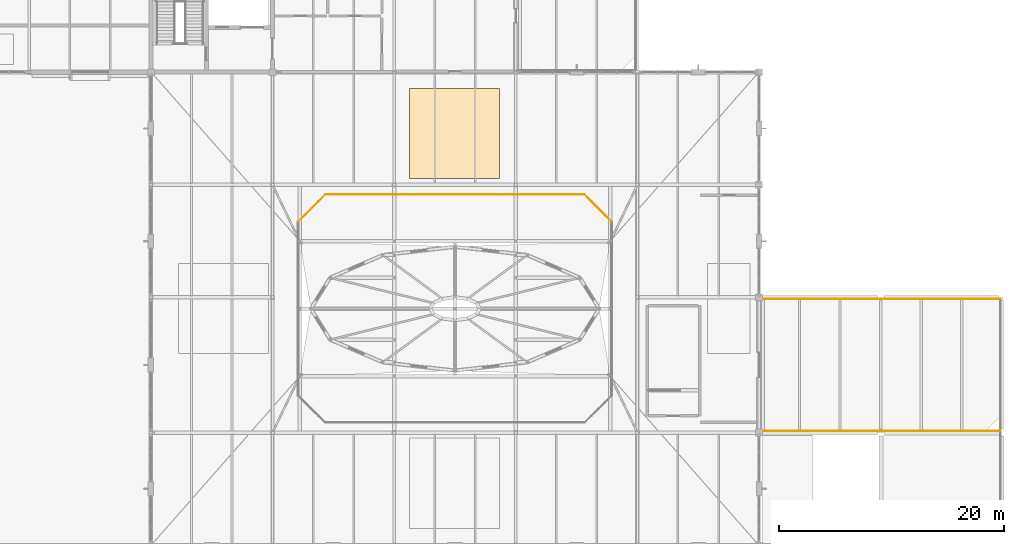
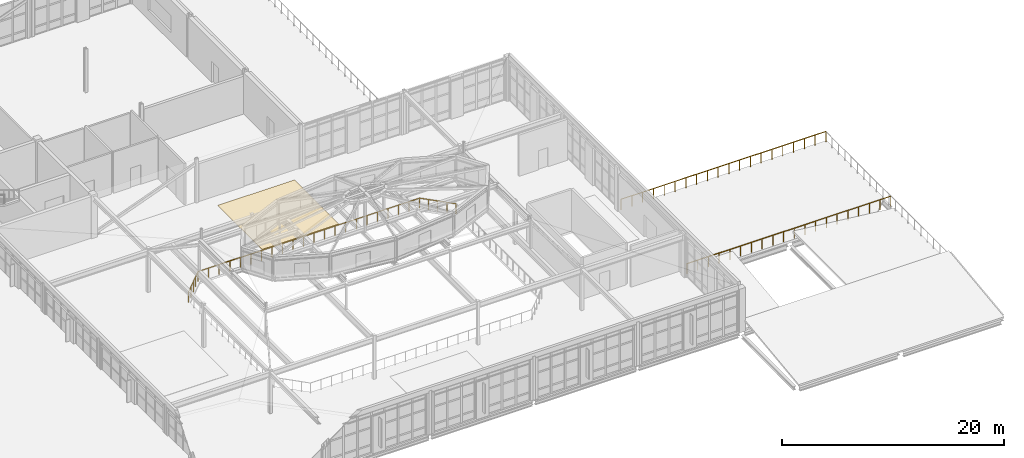
# One storey, part 82 of 86: 5 railings, 1 covering.
"""IFC4 building model written with IfcOpenShell, lengths in metres."""

from ifc_helpers import new_model, si_unit, direction, frame, origin, origin_2d, place, context, subcontext, project, spatial, rectangle, circle, extrude, material, layer, layer_set, type_object, element, save


model = new_model("IFC4")

# Units and contexts
model_context = context("Model", 3, precision=1e-05, world=origin(), true_north=direction((0.0, 1.0)))
body_context = subcontext(model_context, "Body", "Model", "MODEL_VIEW")
ifc_project = project(units=[si_unit("LENGTHUNIT", "METRE"), si_unit("AREAUNIT", "SQUARE_METRE"), si_unit("VOLUMEUNIT", "CUBIC_METRE"), si_unit("PLANEANGLEUNIT", "RADIAN"), si_unit("MASSUNIT", "GRAM", prefix="KILO")], contexts=[model_context])

# Site, building, storey
site_placement = place(None, origin())
site = spatial("IfcSite", under=ifc_project, at=site_placement, CompositionType="ELEMENT")
building_placement = place(site_placement, origin())
building = spatial("IfcBuilding", under=site, at=building_placement, Name="Tasgan Crest Museum", CompositionType="ELEMENT")
storey_placement = place(building_placement, frame((0.0, 0.0, 24.0)))
storey = spatial("IfcBuildingStorey", under=building, at=storey_placement, Name="L04", CompositionType="ELEMENT", Elevation=24.0)

# Covering
ifc_material_1 = material(Name="Polished Granite Terrazzo", Category="masonry")
ifc_layer = layer(ifc_material_1, 0.030029296875, Name="COV-FLOOR-TERRAZZO")
ifc_layer_set = layer_set([ifc_layer], Name="Polished Granite Terrazzo")
covering_type = type_object("IfcCoveringType", Name="COV-FLOOR-TERRAZZO", PredefinedType="FLOORING", material=ifc_layer_set)
covering_placement = place(storey_placement, frame((80.9599609375, 76.550048828125, 0.0), z_axis=(0.0, 0.0, 1.0), x_axis=(1.0, 0.0, 0.0)))
element("IfcCovering", 1, at=covering_placement, inside=storey, type_object=covering_type, Name="Lantern North Concourse floor finish", PredefinedType="FLOORING", context=body_context, shape_type="SweptSolid", body=[
    extrude(rectangle(XDim=8.0, YDim=8.0, at=origin_2d()), origin(), (0.0, 0.0, 1.0), 0.030029296875),
])

# Railings
ifc_material_2 = material(Name="Bronze and Honed Granite Balustrade", Category="masonry")
railing_type_1 = type_object("IfcRailingType", Name="RL-BALUSTRADE-1150", PredefinedType="BALUSTRADE", material=ifc_material_2)
railing_1_placement = place(storey_placement, frame((129.449951171875, 61.85009765625, 0.0)))
element("IfcRailing", 2, at=railing_1_placement, inside=storey, type_object=railing_type_1, Name="Terrace guardrail L04 TR-EAST-N", PredefinedType="BALUSTRADE", context=body_context, shape_type="SweptSolid", body=[
    extrude(circle(Radius=0.02392578125, at=origin_2d()), frame((0.0, 0.0, 1.1259765625), z_axis=(-1.0, 0.0, 0.0), x_axis=(0.0, -1.0, 0.0)), (0.0, 0.0, 1.0), 21.300048828125),
    extrude(circle(Radius=0.02099609375, at=origin_2d()), origin(), (0.0, 0.0, 1.0), 1.101806640625),
    extrude(circle(Radius=0.02099609375, at=origin_2d()), frame((-1.12109375, 0.0, 0.0)), (0.0, 0.0, 1.0), 1.101806640625),
    extrude(circle(Radius=0.02099609375, at=origin_2d()), frame((-2.2421875, 0.0, 0.0)), (0.0, 0.0, 1.0), 1.101806640625),
    extrude(circle(Radius=0.02099609375, at=origin_2d()), frame((-3.36328125, 0.0, 0.0)), (0.0, 0.0, 1.0), 1.101806640625),
    extrude(circle(Radius=0.02099609375, at=origin_2d()), frame((-4.484130859375, 0.0, 0.0)), (0.0, 0.0, 1.0), 1.101806640625),
    extrude(circle(Radius=0.02099609375, at=origin_2d()), frame((-5.605224609375, 0.0, 0.0)), (0.0, 0.0, 1.0), 1.101806640625),
    extrude(circle(Radius=0.02099609375, at=origin_2d()), frame((-6.726318359375, 0.0, 0.0)), (0.0, 0.0, 1.0), 1.101806640625),
    extrude(circle(Radius=0.02099609375, at=origin_2d()), frame((-7.847412109375, 0.0, 0.0)), (0.0, 0.0, 1.0), 1.101806640625),
    extrude(circle(Radius=0.02099609375, at=origin_2d()), frame((-8.968505859375, 0.0, 0.0)), (0.0, 0.0, 1.0), 1.101806640625),
    extrude(circle(Radius=0.02099609375, at=origin_2d()), frame((-10.089599609375, 0.0, 0.0)), (0.0, 0.0, 1.0), 1.101806640625),
    extrude(circle(Radius=0.02099609375, at=origin_2d()), frame((-11.21044921875, 0.0, 0.0)), (0.0, 0.0, 1.0), 1.101806640625),
    extrude(circle(Radius=0.02099609375, at=origin_2d()), frame((-12.33154296875, 0.0, 0.0)), (0.0, 0.0, 1.0), 1.101806640625),
    extrude(circle(Radius=0.02099609375, at=origin_2d()), frame((-13.45263671875, 0.0, 0.0)), (0.0, 0.0, 1.0), 1.101806640625),
    extrude(circle(Radius=0.02099609375, at=origin_2d()), frame((-14.57373046875, 0.0, 0.0)), (0.0, 0.0, 1.0), 1.101806640625),
    extrude(circle(Radius=0.02099609375, at=origin_2d()), frame((-15.69482421875, 0.0, 0.0)), (0.0, 0.0, 1.0), 1.101806640625),
    extrude(circle(Radius=0.02099609375, at=origin_2d()), frame((-16.81591796875, 0.0, 0.0)), (0.0, 0.0, 1.0), 1.101806640625),
    extrude(circle(Radius=0.02099609375, at=origin_2d()), frame((-17.936767578125, 0.0, 0.0)), (0.0, 0.0, 1.0), 1.101806640625),
    extrude(circle(Radius=0.02099609375, at=origin_2d()), frame((-19.057861328125, 0.0, 0.0)), (0.0, 0.0, 1.0), 1.101806640625),
    extrude(circle(Radius=0.02099609375, at=origin_2d()), frame((-20.178955078125, 0.0, 0.0)), (0.0, 0.0, 1.0), 1.101806640625),
    extrude(circle(Radius=0.02099609375, at=origin_2d()), frame((-21.300048828125, 0.0, 0.0)), (0.0, 0.0, 1.0), 1.101806640625),
])
ifc_material_3 = material(Name="Brushed Bronze and Toughened Glass", Category="glass")
railing_type_2 = type_object("IfcRailingType", Name="RL-INT-GUARD-1120", PredefinedType="GUARDRAIL", material=ifc_material_3)
railing_2_placement = place(storey_placement, frame((94.919921875, 68.719970703125, 0.0)))
element("IfcRailing", 3, at=railing_2_placement, inside=storey, type_object=railing_type_2, Name="Atrium void guard L04 3", PredefinedType="GUARDRAIL", context=body_context, shape_type="SweptSolid", body=[
    extrude(circle(Radius=0.02392578125, at=origin_2d()), frame((0.0, 0.0, 1.09619140625), z_axis=(-0.707070815327, 0.707142745217, 0.0), x_axis=(-0.707142745217, -0.707070815327, 0.0)), (0.0, 0.0, 1.0), 3.39404296875),
    extrude(circle(Radius=0.02099609375, at=origin_2d()), origin(), (0.0, 0.0, 1.0), 1.072021484375),
    extrude(circle(Radius=0.02099609375, at=origin_2d()), frame((-0.60009765625, 0.60009765625, 0.0)), (0.0, 0.0, 1.0), 1.072021484375),
    extrude(circle(Radius=0.02099609375, at=origin_2d()), frame((-1.199951171875, 1.2001953125, 0.0)), (0.0, 0.0, 1.0), 1.072021484375),
    extrude(circle(Radius=0.02099609375, at=origin_2d()), frame((-1.7998046875, 1.800048828125, 0.0)), (0.0, 0.0, 1.0), 1.072021484375),
    extrude(circle(Radius=0.02099609375, at=origin_2d()), frame((-2.39990234375, 2.400146484375, 0.0)), (0.0, 0.0, 1.0), 1.072021484375),
])
railing_3_placement = place(storey_placement, frame((92.52001953125, 71.1201171875, 0.0)))
element("IfcRailing", 4, at=railing_3_placement, inside=storey, type_object=railing_type_2, Name="Atrium void guard L04 4", PredefinedType="GUARDRAIL", context=body_context, shape_type="SweptSolid", body=[
    extrude(circle(Radius=0.02392578125, at=origin_2d()), frame((0.0, 0.0, 1.09619140625), z_axis=(-1.0, 0.0, 0.0), x_axis=(0.0, -1.0, 0.0)), (0.0, 0.0, 1.0), 23.0400390625),
    extrude(circle(Radius=0.02099609375, at=origin_2d()), origin(), (0.0, 0.0, 1.0), 1.072021484375),
    extrude(circle(Radius=0.02099609375, at=origin_2d()), frame((-1.09716796875, 0.0, 0.0)), (0.0, 0.0, 1.0), 1.072021484375),
    extrude(circle(Radius=0.02099609375, at=origin_2d()), frame((-2.1943359375, 0.0, 0.0)), (0.0, 0.0, 1.0), 1.072021484375),
    extrude(circle(Radius=0.02099609375, at=origin_2d()), frame((-3.29150390625, 0.0, 0.0)), (0.0, 0.0, 1.0), 1.072021484375),
    extrude(circle(Radius=0.02099609375, at=origin_2d()), frame((-4.388671875, 0.0, 0.0)), (0.0, 0.0, 1.0), 1.072021484375),
    extrude(circle(Radius=0.02099609375, at=origin_2d()), frame((-5.48583984375, 0.0, 0.0)), (0.0, 0.0, 1.0), 1.072021484375),
    extrude(circle(Radius=0.02099609375, at=origin_2d()), frame((-6.582763671875, 0.0, 0.0)), (0.0, 0.0, 1.0), 1.072021484375),
    extrude(circle(Radius=0.02099609375, at=origin_2d()), frame((-7.679931640625, 0.0, 0.0)), (0.0, 0.0, 1.0), 1.072021484375),
    extrude(circle(Radius=0.02099609375, at=origin_2d()), frame((-8.777099609375, 0.0, 0.0)), (0.0, 0.0, 1.0), 1.072021484375),
    extrude(circle(Radius=0.02099609375, at=origin_2d()), frame((-9.874267578125, 0.0, 0.0)), (0.0, 0.0, 1.0), 1.072021484375),
    extrude(circle(Radius=0.02099609375, at=origin_2d()), frame((-10.971435546875, 0.0, 0.0)), (0.0, 0.0, 1.0), 1.072021484375),
    extrude(circle(Radius=0.02099609375, at=origin_2d()), frame((-12.068603515625, 0.0, 0.0)), (0.0, 0.0, 1.0), 1.072021484375),
    extrude(circle(Radius=0.02099609375, at=origin_2d()), frame((-13.165771484375, 0.0, 0.0)), (0.0, 0.0, 1.0), 1.072021484375),
    extrude(circle(Radius=0.02099609375, at=origin_2d()), frame((-14.262939453125, 0.0, 0.0)), (0.0, 0.0, 1.0), 1.072021484375),
    extrude(circle(Radius=0.02099609375, at=origin_2d()), frame((-15.360107421875, 0.0, 0.0)), (0.0, 0.0, 1.0), 1.072021484375),
    extrude(circle(Radius=0.02099609375, at=origin_2d()), frame((-16.457275390625, 0.0, 0.0)), (0.0, 0.0, 1.0), 1.072021484375),
    extrude(circle(Radius=0.02099609375, at=origin_2d()), frame((-17.55419921875, 0.0, 0.0)), (0.0, 0.0, 1.0), 1.072021484375),
    extrude(circle(Radius=0.02099609375, at=origin_2d()), frame((-18.6513671875, 0.0, 0.0)), (0.0, 0.0, 1.0), 1.072021484375),
    extrude(circle(Radius=0.02099609375, at=origin_2d()), frame((-19.74853515625, 0.0, 0.0)), (0.0, 0.0, 1.0), 1.072021484375),
    extrude(circle(Radius=0.02099609375, at=origin_2d()), frame((-20.845703125, 0.0, 0.0)), (0.0, 0.0, 1.0), 1.072021484375),
    extrude(circle(Radius=0.02099609375, at=origin_2d()), frame((-21.94287109375, 0.0, 0.0)), (0.0, 0.0, 1.0), 1.072021484375),
    extrude(circle(Radius=0.02099609375, at=origin_2d()), frame((-23.0400390625, 0.0, 0.0)), (0.0, 0.0, 1.0), 1.072021484375),
])
railing_4_placement = place(storey_placement, frame((69.47998046875, 71.1201171875, 0.0)))
element("IfcRailing", 5, at=railing_4_placement, inside=storey, type_object=railing_type_2, Name="Atrium void guard L04 5", PredefinedType="GUARDRAIL", context=body_context, shape_type="SweptSolid", body=[
    extrude(circle(Radius=0.02392578125, at=origin_2d()), frame((0.0, 0.0, 1.09619140625), z_axis=(-0.707070815327, -0.707142745217, 0.0), x_axis=(0.707142745217, -0.707070815327, 0.0)), (0.0, 0.0, 1.0), 3.39404296875),
    extrude(circle(Radius=0.02099609375, at=origin_2d()), origin(), (0.0, 0.0, 1.0), 1.072021484375),
    extrude(circle(Radius=0.02099609375, at=origin_2d()), frame((-0.60009765625, -0.60009765625, 0.0)), (0.0, 0.0, 1.0), 1.072021484375),
    extrude(circle(Radius=0.02099609375, at=origin_2d()), frame((-1.199951171875, -1.2001953125, 0.0)), (0.0, 0.0, 1.0), 1.072021484375),
    extrude(circle(Radius=0.02099609375, at=origin_2d()), frame((-1.7998046875, -1.800048828125, 0.0)), (0.0, 0.0, 1.0), 1.072021484375),
    extrude(circle(Radius=0.02099609375, at=origin_2d()), frame((-2.39990234375, -2.400146484375, 0.0)), (0.0, 0.0, 1.0), 1.072021484375),
])
ifc_material_4 = material(Name="Painted Galvanised Steel", Category="steel")
railing_type_3 = type_object("IfcRailingType", Name="RL-TERR-GUARD-1120", PredefinedType="GUARDRAIL", material=ifc_material_4)
railing_5_placement = place(storey_placement, frame((108.25, 50.14990234375, 0.0)))
element("IfcRailing", 6, at=railing_5_placement, inside=storey, type_object=railing_type_3, Name="Terrace guardrail L04 TR-EAST-S", PredefinedType="GUARDRAIL", context=body_context, shape_type="SweptSolid", body=[
    extrude(circle(Radius=0.02392578125, at=origin_2d()), frame((0.0, 0.0, 1.09619140625), z_axis=(1.0, 0.0, 0.0), x_axis=(0.0, 1.0, 0.0)), (0.0, 0.0, 1.0), 21.199951171875),
    extrude(circle(Radius=0.02099609375, at=origin_2d()), origin(), (0.0, 0.0, 1.0), 1.072021484375),
    extrude(circle(Radius=0.02099609375, at=origin_2d()), frame((1.11572265625, 0.0, 0.0)), (0.0, 0.0, 1.0), 1.072021484375),
    extrude(circle(Radius=0.02099609375, at=origin_2d()), frame((2.231689453125, 0.0, 0.0)), (0.0, 0.0, 1.0), 1.072021484375),
    extrude(circle(Radius=0.02099609375, at=origin_2d()), frame((3.347412109375, 0.0, 0.0)), (0.0, 0.0, 1.0), 1.072021484375),
    extrude(circle(Radius=0.02099609375, at=origin_2d()), frame((4.463134765625, 0.0, 0.0)), (0.0, 0.0, 1.0), 1.072021484375),
    extrude(circle(Radius=0.02099609375, at=origin_2d()), frame((5.578857421875, 0.0, 0.0)), (0.0, 0.0, 1.0), 1.072021484375),
    extrude(circle(Radius=0.02099609375, at=origin_2d()), frame((6.69482421875, 0.0, 0.0)), (0.0, 0.0, 1.0), 1.072021484375),
    extrude(circle(Radius=0.02099609375, at=origin_2d()), frame((7.810546875, 0.0, 0.0)), (0.0, 0.0, 1.0), 1.072021484375),
    extrude(circle(Radius=0.02099609375, at=origin_2d()), frame((8.92626953125, 0.0, 0.0)), (0.0, 0.0, 1.0), 1.072021484375),
    extrude(circle(Radius=0.02099609375, at=origin_2d()), frame((10.0419921875, 0.0, 0.0)), (0.0, 0.0, 1.0), 1.072021484375),
    extrude(circle(Radius=0.02099609375, at=origin_2d()), frame((11.157958984375, 0.0, 0.0)), (0.0, 0.0, 1.0), 1.072021484375),
    extrude(circle(Radius=0.02099609375, at=origin_2d()), frame((12.273681640625, 0.0, 0.0)), (0.0, 0.0, 1.0), 1.072021484375),
    extrude(circle(Radius=0.02099609375, at=origin_2d()), frame((13.389404296875, 0.0, 0.0)), (0.0, 0.0, 1.0), 1.072021484375),
    extrude(circle(Radius=0.02099609375, at=origin_2d()), frame((14.505126953125, 0.0, 0.0)), (0.0, 0.0, 1.0), 1.072021484375),
    extrude(circle(Radius=0.02099609375, at=origin_2d()), frame((15.62109375, 0.0, 0.0)), (0.0, 0.0, 1.0), 1.072021484375),
    extrude(circle(Radius=0.02099609375, at=origin_2d()), frame((16.73681640625, 0.0, 0.0)), (0.0, 0.0, 1.0), 1.072021484375),
    extrude(circle(Radius=0.02099609375, at=origin_2d()), frame((17.8525390625, 0.0, 0.0)), (0.0, 0.0, 1.0), 1.072021484375),
    extrude(circle(Radius=0.02099609375, at=origin_2d()), frame((18.96826171875, 0.0, 0.0)), (0.0, 0.0, 1.0), 1.072021484375),
    extrude(circle(Radius=0.02099609375, at=origin_2d()), frame((20.084228515625, 0.0, 0.0)), (0.0, 0.0, 1.0), 1.072021484375),
    extrude(circle(Radius=0.02099609375, at=origin_2d()), frame((21.199951171875, 0.0, 0.0)), (0.0, 0.0, 1.0), 1.072021484375),
])

save(model, "model.ifc")
